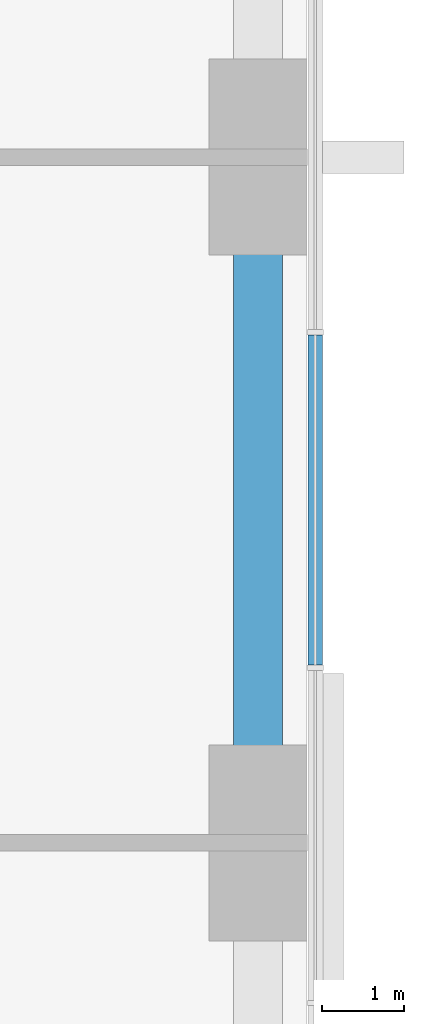
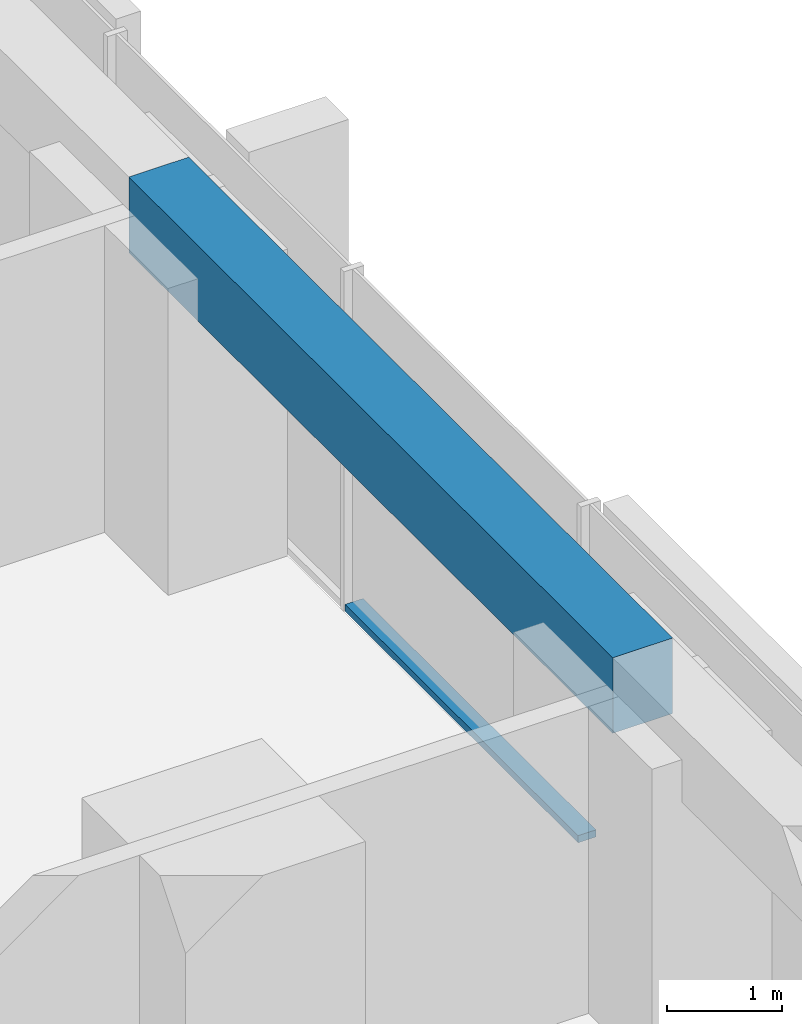
# One storey, part 5 of 17: 1 beam, 1 member, 1 element without a shape of its own.
"""IFC4 building model written with IfcOpenShell, lengths in metres."""

from ifc_helpers import new_model, si_unit, direction, frame, origin, origin_2d, place, context, subcontext, project, spatial, rectangle, extrude, material, material_profile, profile_set, type_object, element, aggregate, save


model = new_model("IFC4")

# Units and contexts
model_context = context("Model", 3, precision=1e-05, world=origin(), true_north=direction((0.0, 1.0)))
body_context = subcontext(model_context, "Body", "Model", "MODEL_VIEW")
ifc_project = project(units=[si_unit("LENGTHUNIT", "METRE"), si_unit("AREAUNIT", "SQUARE_METRE"), si_unit("VOLUMEUNIT", "CUBIC_METRE"), si_unit("PLANEANGLEUNIT", "RADIAN"), si_unit("MASSUNIT", "GRAM", prefix="KILO")], contexts=[model_context])

# Site, building, storey
site_placement = place(None, origin())
site = spatial("IfcSite", under=ifc_project, at=site_placement, CompositionType="ELEMENT")
building_placement = place(site_placement, origin())
building = spatial("IfcBuilding", under=site, at=building_placement, Name="Dunama Terrace Hotel", CompositionType="ELEMENT")
storey_placement = place(building_placement, frame((0.0, 0.0, 41.39990234375)))
storey = spatial("IfcBuildingStorey", under=building, at=storey_placement, Name="L09", CompositionType="ELEMENT", Elevation=41.39990234375)

# Curtain wall, member
ifc_material_1 = material(Name="Aluminium curtain wall system", Category="aluminium")
curtain_wall_type = type_object("IfcCurtainWallType", Name="Unitised fritted glass wall CW-A", PredefinedType="NOTDEFINED", material=ifc_material_1)
curtain_wall_placement = place(storey_placement, origin())
curtain_wall = element("IfcCurtainWall", 1, at=curtain_wall_placement, inside=storey, type_object=curtain_wall_type, Name="Unitised fritted glass wall CW-A L09", PredefinedType="NOTDEFINED")
ifc_material_2 = material(Name="Aluminium transom", Category="aluminium")
ifc_material_profile_1 = material_profile(ifc_material_2, rectangle(XDim=0.179931640625, YDim=0.074951171875, at=origin_2d()), Name="CWA TRANSOM 180X75")
ifc_profile_set_1 = profile_set([ifc_material_profile_1], Name="Aluminium transom")
member_type = type_object("IfcMemberType", Name="CWA transom 180x75", PredefinedType="USERDEFINED", material=ifc_profile_set_1)
member_placement = place(storey_placement, frame((58.89990234375, 27.37890625, 0.03759765625), z_axis=(0.0, 1.0, 0.0), x_axis=(-1.0, 0.0, 0.0)))
member = element("IfcMember", 2, at=member_placement, type_object=member_type, Name="CWA transom", ObjectType="TRANSOM", PredefinedType="USERDEFINED", context=body_context, shape_type="SweptSolid", body=[
    extrude(rectangle(XDim=0.179931640625, YDim=0.074951171875, at=origin_2d()), origin(), (0.0, 0.0, 1.0), 4.0419921875),
])
aggregate(curtain_wall, [member])

# Beam
ifc_material_3 = material(Name="Concrete C40/50", Category="concrete")
ifc_material_profile_2 = material_profile(ifc_material_3, rectangle(XDim=0.60009765625, YDim=0.800048828125, at=origin_2d()), Name="RC 600x800")
ifc_profile_set_2 = profile_set([ifc_material_profile_2], Name="Concrete C40/50")
beam_type = type_object("IfcBeamType", Name="Edge beam RC 600x800", PredefinedType="SPANDREL", material=ifc_profile_set_2)
beam_placement = place(storey_placement, frame((58.199951171875, 25.199951171875, 3.2001953125), z_axis=(0.0, 1.0, 0.0), x_axis=(-1.0, 0.0, 0.0)))
element("IfcBeam", 3, at=beam_placement, inside=storey, type_object=beam_type, Name="Edge beam under L10", PredefinedType="SPANDREL", context=body_context, shape_type="SweptSolid", body=[
    extrude(rectangle(XDim=0.60009765625, YDim=0.800048828125, at=origin_2d()), origin(), (0.0, 0.0, 1.0), 8.400146484375),
])

save(model, "model.ifc")
